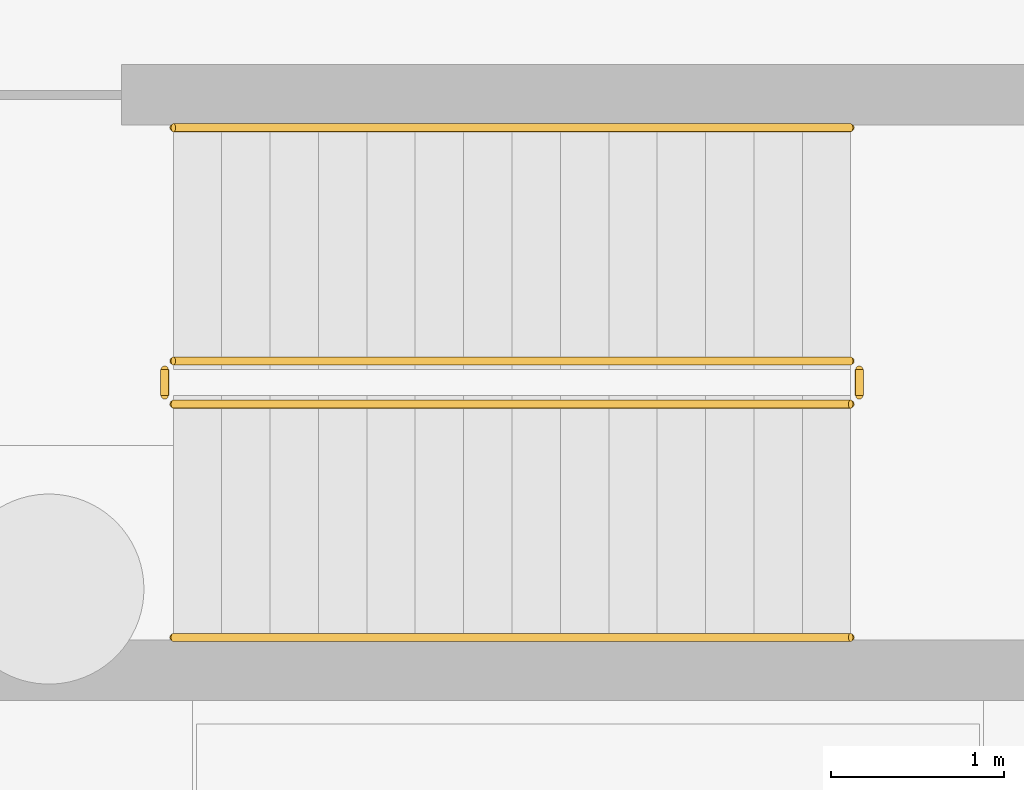
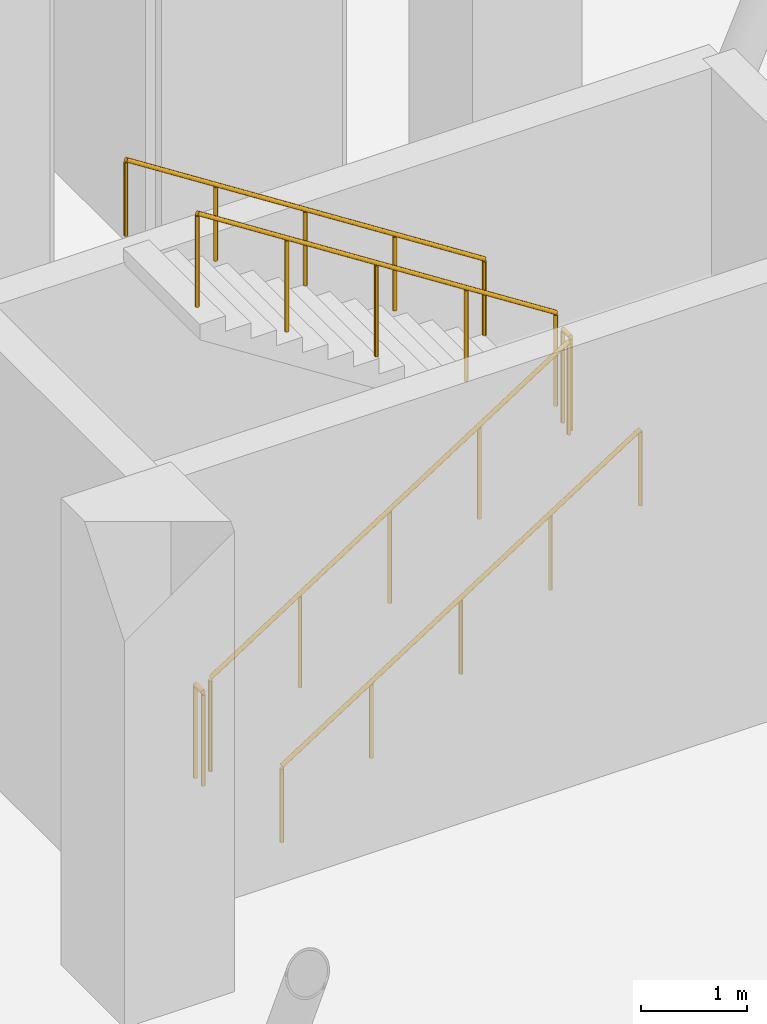
# One storey, part 36 of 42: 6 railings.
"""IFC4 building model written with IfcOpenShell, lengths in metres."""

from ifc_helpers import new_model, si_unit, direction, frame, origin, origin_2d, place, context, subcontext, project, spatial, circle, extrude, material, type_object, element, save


model = new_model("IFC4")

# Units and contexts
model_context = context("Model", 3, precision=1e-05, world=origin(), true_north=direction((0.0, 1.0)))
body_context = subcontext(model_context, "Body", "Model", "MODEL_VIEW")
ifc_project = project(units=[si_unit("LENGTHUNIT", "METRE"), si_unit("AREAUNIT", "SQUARE_METRE"), si_unit("VOLUMEUNIT", "CUBIC_METRE"), si_unit("PLANEANGLEUNIT", "RADIAN"), si_unit("MASSUNIT", "GRAM", prefix="KILO")], contexts=[model_context])

# Site, building, storey
site_placement = place(None, origin())
site = spatial("IfcSite", under=ifc_project, at=site_placement, CompositionType="ELEMENT")
building_placement = place(site_placement, origin())
building = spatial("IfcBuilding", under=site, at=building_placement, Name="Sundgate Opera House", CompositionType="ELEMENT")
storey_placement = place(building_placement, frame((0.0, 0.0, -5.39990234375)))
storey = spatial("IfcBuildingStorey", under=building, at=storey_placement, Name="B01", CompositionType="ELEMENT", Elevation=-5.39990234375)

# Railings
ifc_material_1 = material(Name="Painted steel S275 guardrail", Category="steel")
railing_type_1 = type_object("IfcRailingType", Name="RL-STAIR-GUARD-1100", PredefinedType="GUARDRAIL", material=ifc_material_1)
railing_1_placement = place(storey_placement, frame((65.10009765625, 44.449951171875, 0.179931640625)))
element("IfcRailing", 1, at=railing_1_placement, inside=storey, type_object=railing_type_1, Name="ST03B01 Guardrail RL0090", PredefinedType="GUARDRAIL", context=body_context, shape_type="SweptSolid", body=[
    extrude(circle(Radius=0.02392578125, at=origin_2d()), frame((0.0, 0.0, 1.076171875), z_axis=(0.841171666519, 0.0, 0.540768182723), x_axis=(0.0, 1.0, 0.0)), (0.0, 0.0, 1.0), 4.66015625),
    extrude(circle(Radius=0.02099609375, at=origin_2d()), origin(), (0.0, 0.0, 1.0), 1.052001953125),
    extrude(circle(Radius=0.02099609375, at=origin_2d()), frame((0.97998046875, 0.0, 0.6298828125)), (0.0, 0.0, 1.0), 1.052001953125),
    extrude(circle(Radius=0.02099609375, at=origin_2d()), frame((1.9599609375, 0.0, 1.260009765625)), (0.0, 0.0, 1.0), 1.052001953125),
    extrude(circle(Radius=0.02099609375, at=origin_2d()), frame((2.93994140625, 0.0, 1.89013671875)), (0.0, 0.0, 1.0), 1.052001953125),
    extrude(circle(Radius=0.02099609375, at=origin_2d()), frame((3.919921875, 0.0, 2.52001953125)), (0.0, 0.0, 1.0), 1.052001953125),
])
railing_2_placement = place(storey_placement, frame((69.070068359375, 44.5, 2.699951171875)))
element("IfcRailing", 2, at=railing_2_placement, inside=storey, type_object=railing_type_1, Name="ST03B01 Guardrail RL0091", PredefinedType="GUARDRAIL", context=body_context, shape_type="SweptSolid", body=[
    extrude(circle(Radius=0.02392578125, at=origin_2d()), frame((0.0, 0.0, 1.076171875), z_axis=(0.0, 1.0, 0.0), x_axis=(-1.0, 0.0, 0.0)), (0.0, 0.0, 1.0), 0.14990234375),
    extrude(circle(Radius=0.02099609375, at=origin_2d()), origin(), (0.0, 0.0, 1.0), 1.052001953125),
    extrude(circle(Radius=0.02099609375, at=origin_2d()), frame((0.0, 0.14990234375, 0.0)), (0.0, 0.0, 1.0), 1.052001953125),
])
railing_3_placement = place(storey_placement, frame((69.02001953125, 44.699951171875, 2.8798828125)))
element("IfcRailing", 3, at=railing_3_placement, inside=storey, type_object=railing_type_1, Name="ST03B01 Guardrail RL0092", PredefinedType="GUARDRAIL", context=body_context, shape_type="SweptSolid", body=[
    extrude(circle(Radius=0.02392578125, at=origin_2d()), frame((0.0, 0.0, 1.076171875), z_axis=(-0.841171666519, 0.0, 0.540768182723), x_axis=(0.0, -1.0, 0.0)), (0.0, 0.0, 1.0), 4.66015625),
    extrude(circle(Radius=0.02099609375, at=origin_2d()), origin(), (0.0, 0.0, 1.0), 1.052001953125),
    extrude(circle(Radius=0.02099609375, at=origin_2d()), frame((-0.97998046875, 0.0, 0.6298828125)), (0.0, 0.0, 1.0), 1.052001953125),
    extrude(circle(Radius=0.02099609375, at=origin_2d()), frame((-1.9599609375, 0.0, 1.260009765625)), (0.0, 0.0, 1.0), 1.052001953125),
    extrude(circle(Radius=0.02099609375, at=origin_2d()), frame((-2.93994140625, 0.0, 1.89013671875)), (0.0, 0.0, 1.0), 1.052001953125),
    extrude(circle(Radius=0.02099609375, at=origin_2d()), frame((-3.919921875, 0.0, 2.52001953125)), (0.0, 0.0, 1.0), 1.052001953125),
])
railing_4_placement = place(storey_placement, frame((65.050048828125, 44.5, 0.0)))
element("IfcRailing", 4, at=railing_4_placement, inside=storey, type_object=railing_type_1, Name="ST03B01 Guardrail RL0093", PredefinedType="GUARDRAIL", context=body_context, shape_type="SweptSolid", body=[
    extrude(circle(Radius=0.02392578125, at=origin_2d()), frame((0.0, 0.0, 1.076171875), z_axis=(0.0, 1.0, 0.0), x_axis=(-1.0, 0.0, 0.0)), (0.0, 0.0, 1.0), 0.14990234375),
    extrude(circle(Radius=0.02099609375, at=origin_2d()), origin(), (0.0, 0.0, 1.0), 1.052001953125),
    extrude(circle(Radius=0.02099609375, at=origin_2d()), frame((0.0, 0.14990234375, 0.0)), (0.0, 0.0, 1.0), 1.052001953125),
])
ifc_material_2 = material(Name="Brushed stainless steel handrail", Category="steel")
railing_type_2 = type_object("IfcRailingType", Name="RL-STAIR-HAND-900", PredefinedType="HANDRAIL", material=ifc_material_2)
railing_5_placement = place(storey_placement, frame((65.10009765625, 43.10009765625, 0.179931640625)))
element("IfcRailing", 5, at=railing_5_placement, inside=storey, type_object=railing_type_2, Name="ST03B01 Handrail RL0094", PredefinedType="HANDRAIL", context=body_context, shape_type="SweptSolid", body=[
    extrude(circle(Radius=0.02392578125, at=origin_2d()), frame((0.0, 0.0, 0.8759765625), z_axis=(0.841171666519, 0.0, 0.540768182723), x_axis=(0.0, 1.0, 0.0)), (0.0, 0.0, 1.0), 4.66015625),
    extrude(circle(Radius=0.02099609375, at=origin_2d()), origin(), (0.0, 0.0, 1.0), 0.851806640625),
    extrude(circle(Radius=0.02099609375, at=origin_2d()), frame((0.97998046875, 0.0, 0.6298828125)), (0.0, 0.0, 1.0), 0.851806640625),
    extrude(circle(Radius=0.02099609375, at=origin_2d()), frame((1.9599609375, 0.0, 1.260009765625)), (0.0, 0.0, 1.0), 0.851806640625),
    extrude(circle(Radius=0.02099609375, at=origin_2d()), frame((2.93994140625, 0.0, 1.89013671875)), (0.0, 0.0, 1.0), 0.851806640625),
    extrude(circle(Radius=0.02099609375, at=origin_2d()), frame((3.919921875, 0.0, 2.52001953125)), (0.0, 0.0, 1.0), 0.851806640625),
])
railing_6_placement = place(storey_placement, frame((69.02001953125, 46.050048828125, 2.8798828125)))
element("IfcRailing", 6, at=railing_6_placement, inside=storey, type_object=railing_type_2, Name="ST03B01 Handrail RL0095", PredefinedType="HANDRAIL", context=body_context, shape_type="SweptSolid", body=[
    extrude(circle(Radius=0.02392578125, at=origin_2d()), frame((0.0, 0.0, 0.8759765625), z_axis=(-0.841171666519, 0.0, 0.540768182723), x_axis=(0.0, -1.0, 0.0)), (0.0, 0.0, 1.0), 4.66015625),
    extrude(circle(Radius=0.02099609375, at=origin_2d()), origin(), (0.0, 0.0, 1.0), 0.851806640625),
    extrude(circle(Radius=0.02099609375, at=origin_2d()), frame((-0.97998046875, 0.0, 0.6298828125)), (0.0, 0.0, 1.0), 0.851806640625),
    extrude(circle(Radius=0.02099609375, at=origin_2d()), frame((-1.9599609375, 0.0, 1.260009765625)), (0.0, 0.0, 1.0), 0.851806640625),
    extrude(circle(Radius=0.02099609375, at=origin_2d()), frame((-2.93994140625, 0.0, 1.89013671875)), (0.0, 0.0, 1.0), 0.851806640625),
    extrude(circle(Radius=0.02099609375, at=origin_2d()), frame((-3.919921875, 0.0, 2.52001953125)), (0.0, 0.0, 1.0), 0.851806640625),
])

save(model, "model.ifc")
